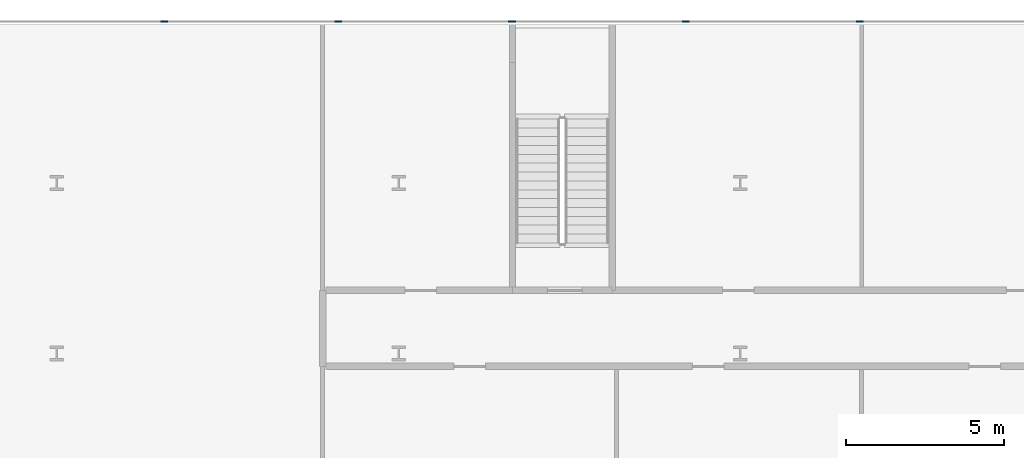
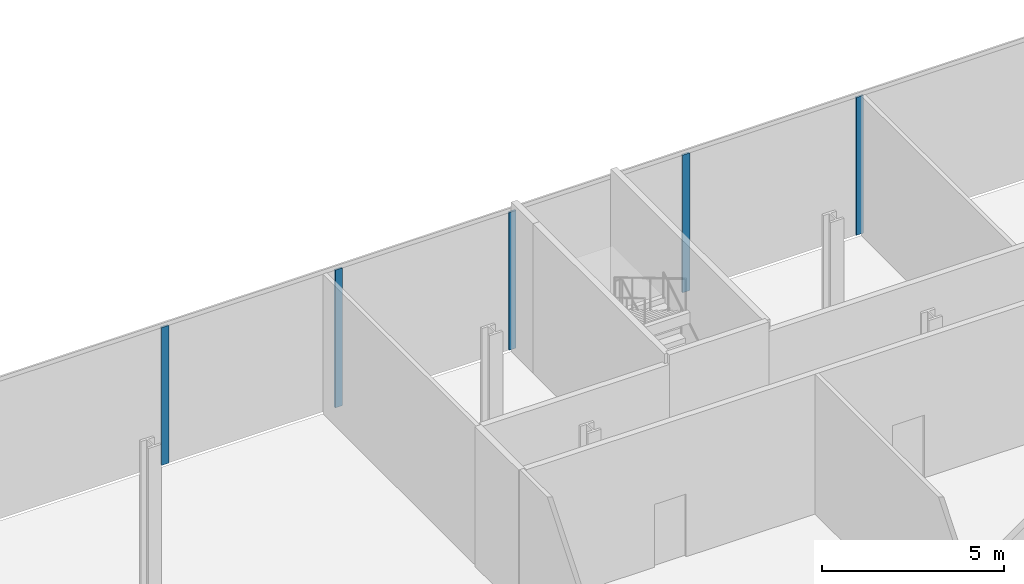
# One storey, part 17 of 47: 5 members, 1 element without a shape of its own.
"""IFC4 building model written with IfcOpenShell, lengths in metres."""

from ifc_helpers import new_model, si_unit, direction, frame, origin, origin_2d, place, context, subcontext, project, spatial, rectangle, extrude, material, layer, layer_set, material_profile, profile_set, type_object, element, aggregate, save


model = new_model("IFC4")

# Units and contexts
model_context = context("Model", 3, precision=1e-05, world=origin(), true_north=direction((0.0, 1.0)))
body_context = subcontext(model_context, "Body", "Model", "MODEL_VIEW")
ifc_project = project(units=[si_unit("LENGTHUNIT", "METRE"), si_unit("AREAUNIT", "SQUARE_METRE"), si_unit("VOLUMEUNIT", "CUBIC_METRE"), si_unit("PLANEANGLEUNIT", "RADIAN"), si_unit("MASSUNIT", "GRAM", prefix="KILO")], contexts=[model_context])

# Site, building, storey
site_placement = place(None, origin())
site = spatial("IfcSite", under=ifc_project, at=site_placement, CompositionType="ELEMENT")
building_placement = place(site_placement, origin())
building = spatial("IfcBuilding", under=site, at=building_placement, Name="Kheshtan School and Residences Tower", CompositionType="ELEMENT")
storey_placement = place(building_placement, frame((0.0, 0.0, 7.5)))
storey = spatial("IfcBuildingStorey", under=building, at=storey_placement, Name="L01", CompositionType="ELEMENT", Elevation=7.5)

# Curtain wall, members
ifc_material_1 = material(Name="Clear low-e glass in thermally broken aluminium frame", Category="aluminium")
ifc_layer = layer(ifc_material_1, 0.22509765625)
ifc_layer_set = layer_set([ifc_layer], Name="Curtain wall CW-P")
curtain_wall_type = type_object("IfcCurtainWallType", Name="Curtain wall CW-P", PredefinedType="NOTDEFINED", material=ifc_layer_set)
curtain_wall_placement = place(storey_placement, origin())
curtain_wall = element("IfcCurtainWall", 1, at=curtain_wall_placement, inside=storey, type_object=curtain_wall_type, Name="Curtain wall CWP4", PredefinedType="NOTDEFINED")
ifc_material_2 = material(Name="Thermally broken aluminium, dark bronze anodised", Category="aluminium")
ifc_material_profile = material_profile(ifc_material_2, rectangle(XDim=0.06005859375, YDim=0.22509765625, at=origin_2d()), Name="CW-P mullion 60x225")
ifc_profile_set = profile_set([ifc_material_profile], Name="Thermally broken aluminium, dark bronze anodised")
member_type = type_object("IfcMemberType", Name="CW-P mullion 60x225", PredefinedType="MULLION", material=ifc_profile_set)
member_1_placement = place(storey_placement, frame((50.989013671875, 110.10009765625, 0.0), z_axis=(0.0, 0.0, 1.0), x_axis=(0.0, 1.0, 0.0)))
member_1 = element("IfcMember", 2, at=member_1_placement, type_object=member_type, Name="CWP4 mullion 7", PredefinedType="MULLION", context=body_context, shape_type="SweptSolid", body=[
    extrude(rectangle(XDim=0.06005859375, YDim=0.22509765625, at=origin_2d()), origin(), (0.0, 0.0, 1.0), 4.610107421875),
])
member_2_placement = place(storey_placement, frame((56.4873046875, 110.10009765625, 0.0), z_axis=(0.0, 0.0, 1.0), x_axis=(0.0, 1.0, 0.0)))
member_2 = element("IfcMember", 3, at=member_2_placement, type_object=member_type, Name="CWP4 mullion 8", PredefinedType="MULLION", context=body_context, shape_type="SweptSolid", body=[
    extrude(rectangle(XDim=0.06005859375, YDim=0.22509765625, at=origin_2d()), origin(), (0.0, 0.0, 1.0), 4.610107421875),
])
member_3_placement = place(storey_placement, frame((61.9853515625, 110.10009765625, 0.0), z_axis=(0.0, 0.0, 1.0), x_axis=(0.0, 1.0, 0.0)))
member_3 = element("IfcMember", 4, at=member_3_placement, type_object=member_type, Name="CWP4 mullion 9", PredefinedType="MULLION", context=body_context, shape_type="SweptSolid", body=[
    extrude(rectangle(XDim=0.06005859375, YDim=0.22509765625, at=origin_2d()), origin(), (0.0, 0.0, 1.0), 4.610107421875),
])
member_4_placement = place(storey_placement, frame((67.483642578125, 110.10009765625, 0.0), z_axis=(0.0, 0.0, 1.0), x_axis=(0.0, 1.0, 0.0)))
member_4 = element("IfcMember", 5, at=member_4_placement, type_object=member_type, Name="CWP4 mullion 10", PredefinedType="MULLION", context=body_context, shape_type="SweptSolid", body=[
    extrude(rectangle(XDim=0.06005859375, YDim=0.22509765625, at=origin_2d()), origin(), (0.0, 0.0, 1.0), 4.610107421875),
])
member_5_placement = place(storey_placement, frame((72.98193359375, 110.10009765625, 0.0), z_axis=(0.0, 0.0, 1.0), x_axis=(0.0, 1.0, 0.0)))
member_5 = element("IfcMember", 6, at=member_5_placement, type_object=member_type, Name="CWP4 mullion 11", PredefinedType="MULLION", context=body_context, shape_type="SweptSolid", body=[
    extrude(rectangle(XDim=0.06005859375, YDim=0.22509765625, at=origin_2d()), origin(), (0.0, 0.0, 1.0), 4.610107421875),
])
aggregate(curtain_wall, [member_1, member_2, member_3, member_4, member_5])

save(model, "model.ifc")
